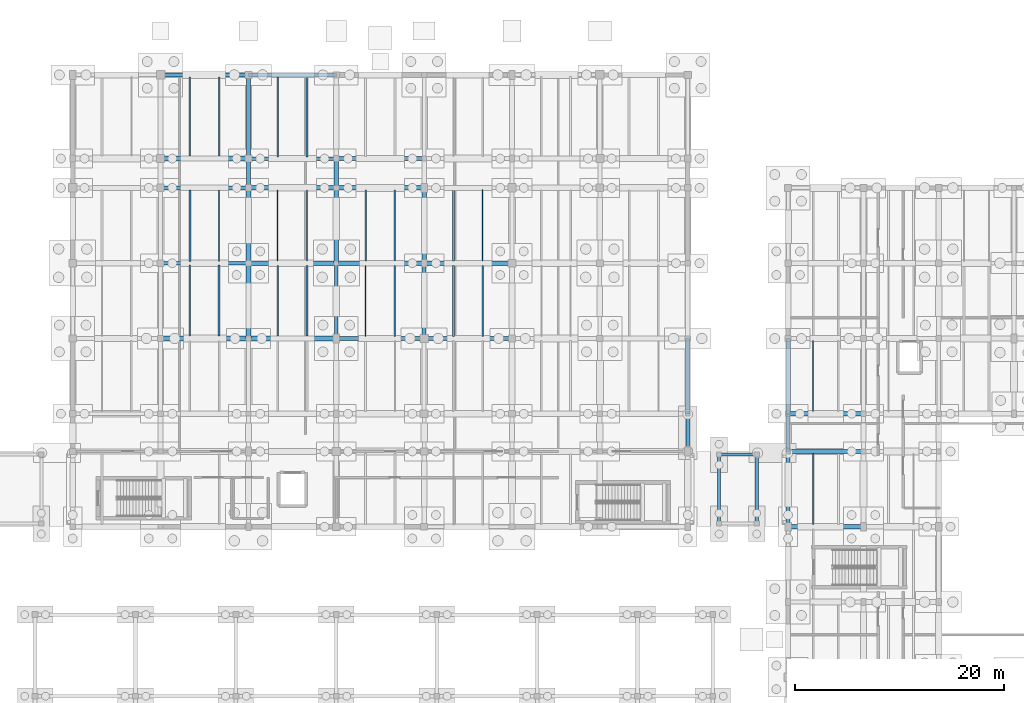
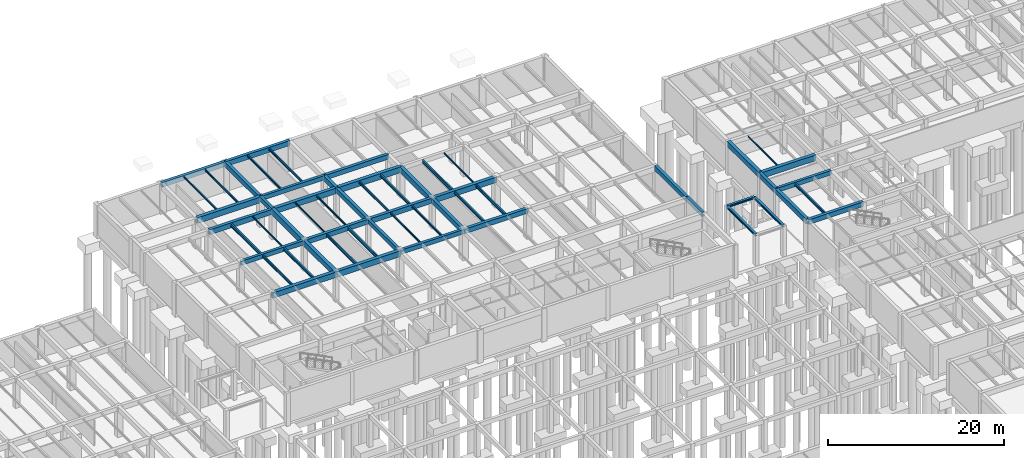
# One storey, part 32 of 63: 58 beams.
"""IFC4 building model written with IfcOpenShell, lengths in metres."""

from ifc_helpers import new_model, si_unit, direction, frame, origin, origin_2d, place, context, subcontext, project, spatial, rectangle, i_section, extrude, material, material_profile, profile_set, type_object, element, save


model = new_model("IFC4")

# Units and contexts
model_context = context("Model", 3, precision=1e-05, world=origin(), true_north=direction((0.0, 1.0)))
body_context = subcontext(model_context, "Body", "Model", "MODEL_VIEW")
ifc_project = project(units=[si_unit("LENGTHUNIT", "METRE"), si_unit("AREAUNIT", "SQUARE_METRE"), si_unit("VOLUMEUNIT", "CUBIC_METRE"), si_unit("PLANEANGLEUNIT", "RADIAN"), si_unit("MASSUNIT", "GRAM", prefix="KILO")], contexts=[model_context])

# Site, building, storey
site_placement = place(None, origin())
site = spatial("IfcSite", under=ifc_project, at=site_placement, CompositionType="ELEMENT")
building_placement = place(site_placement, origin())
building = spatial("IfcBuilding", under=site, at=building_placement, Name="Mazaris Harbour Polytechnic", CompositionType="ELEMENT")
storey_placement = place(building_placement, frame((0.0, 0.0, -4.5)))
storey = spatial("IfcBuildingStorey", under=building, at=storey_placement, Name="B1", CompositionType="ELEMENT", Elevation=-4.5)

# Beams
ifc_material_1 = material(Name="Concrete C35/45", Category="concrete")
ifc_material_profile_1 = material_profile(ifc_material_1, rectangle(XDim=0.35009765625, YDim=0.60009765625, at=origin_2d()), Name="RECT350x600")
ifc_profile_set_1 = profile_set([ifc_material_profile_1], Name="Concrete C35/45")
beam_type_1 = type_object("IfcBeamType", Name="RC Girder 350x600", PredefinedType="BEAM", material=ifc_profile_set_1)
for number, where, z_axis, x_axis, name in (
    (1, (79.199951171875, 93.60009765625, 3.85009765625), (1.0, 0.0, 0.0), (0.0, 1.0, 0.0), "V1 B1 Girder 25"),
    (2, (62.39990234375, 100.800048828125, 3.85009765625), (1.0, 0.0, 0.0), (0.0, 1.0, 0.0), "V1 B1 Girder 30"),
):
    element("IfcBeam", number, at=place(storey_placement, frame(where, z_axis=z_axis, x_axis=x_axis)), inside=storey, type_object=beam_type_1, Name=name, PredefinedType="BEAM", context=body_context, shape_type="SweptSolid", body=[
        extrude(rectangle(XDim=0.35009765625, YDim=0.60009765625, at=origin_2d()), origin(), (0.0, 0.0, 1.0), 8.400146484375),
    ])
beam_1_placement = place(storey_placement, frame((70.800048828125, 110.800048828125, 3.85009765625), z_axis=(1.0, 0.0, 0.0), x_axis=(0.0, 1.0, 0.0)))
element("IfcBeam", 3, at=beam_1_placement, inside=storey, type_object=beam_type_1, Name="V1 B1 Girder 45", PredefinedType="BEAM", context=body_context, shape_type="SweptSolid", body=[
    extrude(rectangle(XDim=0.35009765625, YDim=0.60009765625, at=origin_2d()), origin(), (0.0, 0.0, 1.0), 8.39990234375),
])
beam_2_placement = place(storey_placement, frame((70.800048828125, 108.0, 3.85009765625), z_axis=(0.0, 1.0, 0.0), x_axis=(-1.0, 0.0, 0.0)))
element("IfcBeam", 4, at=beam_2_placement, inside=storey, type_object=beam_type_1, Name="V1 B1 Tie Girder 75", PredefinedType="BEAM", context=body_context, shape_type="SweptSolid", body=[
    extrude(rectangle(XDim=0.35009765625, YDim=0.60009765625, at=origin_2d()), origin(), (0.0, 0.0, 1.0), 2.800048828125),
])
beam_3_placement = place(storey_placement, frame((79.199951171875, 93.60009765625, 3.85009765625), z_axis=(0.0, 1.0, 0.0), x_axis=(-1.0, 0.0, 0.0)))
element("IfcBeam", 5, at=beam_3_placement, inside=storey, type_object=beam_type_1, Name="V1 B1 Tie Girder 80", PredefinedType="BEAM", context=body_context, shape_type="SweptSolid", body=[
    extrude(rectangle(XDim=0.35009765625, YDim=0.60009765625, at=origin_2d()), origin(), (0.0, 0.0, 1.0), 7.199951171875),
])
beam_4_placement = place(storey_placement, frame((122.39990234375, 82.800048828125, 3.8798828125), z_axis=(1.0, 0.0, 0.0), x_axis=(0.0, 1.0, 0.0)))
element("IfcBeam", 6, at=beam_4_placement, inside=storey, type_object=beam_type_1, Name="V5 B1 Girder 2515", PredefinedType="BEAM", context=body_context, shape_type="SweptSolid", body=[
    extrude(rectangle(XDim=0.35009765625, YDim=0.60009765625, at=origin_2d()), origin(), (0.0, 0.0, 1.0), 7.2001953125),
])
ifc_material_2 = material(Name="Concrete C35/45", Category="concrete")
ifc_material_profile_2 = material_profile(ifc_material_2, rectangle(XDim=0.35009765625, YDim=0.60009765625, at=origin_2d()), Name="RECT350x600")
ifc_profile_set_2 = profile_set([ifc_material_profile_2], Name="Concrete C35/45")
beam_type_2 = type_object("IfcBeamType", Name="RC Girder 350x600 Exterior", PredefinedType="BEAM", material=ifc_profile_set_2)
beam_5_placement = place(storey_placement, frame((112.800048828125, 82.800048828125, 3.85009765625), z_axis=(0.0, 1.0, 0.0), x_axis=(-1.0, 0.0, 0.0)))
element("IfcBeam", 7, at=beam_5_placement, inside=storey, type_object=beam_type_2, Name="V1 B1 Tie Girder 105", PredefinedType="BEAM", context=body_context, shape_type="SweptSolid", body=[
    extrude(rectangle(XDim=0.35009765625, YDim=0.60009765625, at=origin_2d()), origin(), (0.0, 0.0, 1.0), 3.599853515625),
])
ifc_material_3 = material(Name="Concrete C35/45", Category="concrete")
ifc_material_profile_3 = material_profile(ifc_material_3, rectangle(XDim=0.39990234375, YDim=0.64990234375, at=origin_2d()), Name="RECT400x650")
ifc_profile_set_3 = profile_set([ifc_material_profile_3], Name="Concrete C35/45")
beam_type_3 = type_object("IfcBeamType", Name="RC Girder 400x650", PredefinedType="BEAM", material=ifc_profile_set_3)
for number, where, z_axis, x_axis, name in (
    (8, (87.60009765625, 93.60009765625, 3.824951171875), (1.0, 0.0, 0.0), (0.0, 1.0, 0.0), "V1 B1 Girder 26"),
    (9, (70.800048828125, 100.800048828125, 3.824951171875), (1.0, 0.0, 0.0), (0.0, 1.0, 0.0), "V1 B1 Girder 31"),
):
    element("IfcBeam", number, at=place(storey_placement, frame(where, z_axis=z_axis, x_axis=x_axis)), inside=storey, type_object=beam_type_3, Name=name, PredefinedType="BEAM", context=body_context, shape_type="SweptSolid", body=[
        extrude(rectangle(XDim=0.39990234375, YDim=0.64990234375, at=origin_2d()), origin(), (0.0, 0.0, 1.0), 8.39990234375),
    ])
beam_6_placement = place(storey_placement, frame((79.199951171875, 110.800048828125, 3.824951171875), z_axis=(1.0, 0.0, 0.0), x_axis=(0.0, 1.0, 0.0)))
element("IfcBeam", 10, at=beam_6_placement, inside=storey, type_object=beam_type_3, Name="V1 B1 Girder 46", PredefinedType="BEAM", context=body_context, shape_type="SweptSolid", body=[
    extrude(rectangle(XDim=0.39990234375, YDim=0.64990234375, at=origin_2d()), origin(), (0.0, 0.0, 1.0), 8.400146484375),
])
beam_7_placement = place(storey_placement, frame((70.800048828125, 110.800048828125, 3.824951171875), z_axis=(0.0, 1.0, 0.0), x_axis=(-1.0, 0.0, 0.0)))
element("IfcBeam", 11, at=beam_7_placement, inside=storey, type_object=beam_type_3, Name="V1 B1 Tie Girder 76", PredefinedType="BEAM", context=body_context, shape_type="SweptSolid", body=[
    extrude(rectangle(XDim=0.39990234375, YDim=0.64990234375, at=origin_2d()), origin(), (0.0, 0.0, 1.0), 8.0),
])
beam_8_placement = place(storey_placement, frame((79.199951171875, 100.800048828125, 3.824951171875), z_axis=(0.0, 1.0, 0.0), x_axis=(-1.0, 0.0, 0.0)))
element("IfcBeam", 12, at=beam_8_placement, inside=storey, type_object=beam_type_3, Name="V1 B1 Tie Girder 81", PredefinedType="BEAM", context=body_context, shape_type="SweptSolid", body=[
    extrude(rectangle(XDim=0.39990234375, YDim=0.64990234375, at=origin_2d()), origin(), (0.0, 0.0, 1.0), 7.199951171875),
])
beam_9_placement = place(storey_placement, frame((122.39990234375, 75.60009765625, 3.85498046875), z_axis=(1.0, 0.0, 0.0), x_axis=(0.0, 1.0, 0.0)))
element("IfcBeam", 13, at=beam_9_placement, inside=storey, type_object=beam_type_3, Name="V5 B1 Girder 2511", PredefinedType="BEAM", context=body_context, shape_type="SweptSolid", body=[
    extrude(rectangle(XDim=0.39990234375, YDim=0.64990234375, at=origin_2d()), origin(), (0.0, 0.0, 1.0), 7.2001953125),
])
ifc_material_4 = material(Name="Concrete C35/45", Category="concrete")
ifc_material_profile_4 = material_profile(ifc_material_4, rectangle(XDim=0.39990234375, YDim=0.64990234375, at=origin_2d()), Name="RECT400x650")
ifc_profile_set_4 = profile_set([ifc_material_profile_4], Name="Concrete C35/45")
beam_type_4 = type_object("IfcBeamType", Name="RC Girder 400x650 Exterior", PredefinedType="BEAM", material=ifc_profile_set_4)
beam_10_placement = place(storey_placement, frame((62.39990234375, 118.800048828125, 3.824951171875), z_axis=(1.0, 0.0, 0.0), x_axis=(0.0, 1.0, 0.0)))
element("IfcBeam", 14, at=beam_10_placement, inside=storey, type_object=beam_type_4, Name="V1 B1 Girder 51", PredefinedType="BEAM", context=body_context, shape_type="SweptSolid", body=[
    extrude(rectangle(XDim=0.39990234375, YDim=0.64990234375, at=origin_2d()), origin(), (0.0, 0.0, 1.0), 8.400146484375),
])
beam_11_placement = place(storey_placement, frame((112.800048828125, 86.39990234375, 3.824951171875), z_axis=(0.0, 1.0, 0.0), x_axis=(-1.0, 0.0, 0.0)))
element("IfcBeam", 15, at=beam_11_placement, inside=storey, type_object=beam_type_4, Name="V1 B1 Tie Girder 106", PredefinedType="BEAM", context=body_context, shape_type="SweptSolid", body=[
    extrude(rectangle(XDim=0.39990234375, YDim=0.64990234375, at=origin_2d()), origin(), (0.0, 0.0, 1.0), 7.2001953125),
])
beam_12_placement = place(storey_placement, frame((122.39990234375, 75.60009765625, 3.85498046875), z_axis=(0.0, 1.0, 0.0), x_axis=(-1.0, 0.0, 0.0)))
element("IfcBeam", 16, at=beam_12_placement, inside=storey, type_object=beam_type_4, Name="V5 B1 Tie Girder 2551", PredefinedType="BEAM", context=body_context, shape_type="SweptSolid", body=[
    extrude(rectangle(XDim=0.39990234375, YDim=0.64990234375, at=origin_2d()), origin(), (0.0, 0.0, 1.0), 7.199951171875),
])
ifc_material_5 = material(Name="Concrete C35/45", Category="concrete")
ifc_material_profile_5 = material_profile(ifc_material_5, rectangle(XDim=0.39990234375, YDim=0.699951171875, at=origin_2d()), Name="RECT400x700")
ifc_profile_set_5 = profile_set([ifc_material_profile_5], Name="Concrete C35/45")
beam_type_5 = type_object("IfcBeamType", Name="RC Girder 400x700", PredefinedType="BEAM", material=ifc_profile_set_5)
for number, where, z_axis, x_axis, name in (
    (17, (79.199951171875, 100.800048828125, 3.800048828125), (1.0, 0.0, 0.0), (0.0, 1.0, 0.0), "V1 B1 Girder 32"),
    (18, (62.39990234375, 108.0, 3.800048828125), (1.0, 0.0, 0.0), (0.0, 1.0, 0.0), "V1 B1 Girder 37"),
):
    element("IfcBeam", number, at=place(storey_placement, frame(where, z_axis=z_axis, x_axis=x_axis)), inside=storey, type_object=beam_type_5, Name=name, PredefinedType="BEAM", context=body_context, shape_type="SweptSolid", body=[
        extrude(rectangle(XDim=0.39990234375, YDim=0.699951171875, at=origin_2d()), origin(), (0.0, 0.0, 1.0), 8.400146484375),
    ])
beam_13_placement = place(storey_placement, frame((79.199951171875, 108.0, 3.800048828125), z_axis=(0.0, 1.0, 0.0), x_axis=(-1.0, 0.0, 0.0)))
element("IfcBeam", 19, at=beam_13_placement, inside=storey, type_object=beam_type_5, Name="V1 B1 Tie Girder 82", PredefinedType="BEAM", context=body_context, shape_type="SweptSolid", body=[
    extrude(rectangle(XDim=0.39990234375, YDim=0.699951171875, at=origin_2d()), origin(), (0.0, 0.0, 1.0), 2.800048828125),
])
beam_14_placement = place(storey_placement, frame((87.60009765625, 93.60009765625, 3.800048828125), z_axis=(0.0, 1.0, 0.0), x_axis=(-1.0, 0.0, 0.0)))
element("IfcBeam", 20, at=beam_14_placement, inside=storey, type_object=beam_type_5, Name="V1 B1 Tie Girder 87", PredefinedType="BEAM", context=body_context, shape_type="SweptSolid", body=[
    extrude(rectangle(XDim=0.39990234375, YDim=0.699951171875, at=origin_2d()), origin(), (0.0, 0.0, 1.0), 7.199951171875),
])
ifc_material_6 = material(Name="Concrete C35/45", Category="concrete")
ifc_material_profile_6 = material_profile(ifc_material_6, rectangle(XDim=0.39990234375, YDim=0.699951171875, at=origin_2d()), Name="RECT400x700")
ifc_profile_set_6 = profile_set([ifc_material_profile_6], Name="Concrete C35/45")
beam_type_6 = type_object("IfcBeamType", Name="RC Girder 400x700 Exterior", PredefinedType="BEAM", material=ifc_profile_set_6)
beam_15_placement = place(storey_placement, frame((70.800048828125, 118.800048828125, 3.800048828125), z_axis=(1.0, 0.0, 0.0), x_axis=(0.0, 1.0, 0.0)))
element("IfcBeam", 21, at=beam_15_placement, inside=storey, type_object=beam_type_6, Name="V1 B1 Girder 52", PredefinedType="BEAM", context=body_context, shape_type="SweptSolid", body=[
    extrude(rectangle(XDim=0.39990234375, YDim=0.699951171875, at=origin_2d()), origin(), (0.0, 0.0, 1.0), 8.39990234375),
])
beam_16_placement = place(storey_placement, frame((122.39990234375, 82.800048828125, 3.830078125), z_axis=(0.0, 1.0, 0.0), x_axis=(-1.0, 0.0, 0.0)))
element("IfcBeam", 22, at=beam_16_placement, inside=storey, type_object=beam_type_6, Name="V5 B1 Tie Girder 2552", PredefinedType="BEAM", context=body_context, shape_type="SweptSolid", body=[
    extrude(rectangle(XDim=0.39990234375, YDim=0.699951171875, at=origin_2d()), origin(), (0.0, 0.0, 1.0), 3.599853515625),
])
ifc_material_7 = material(Name="Concrete C40/50", Category="concrete")
ifc_material_profile_7 = material_profile(ifc_material_7, rectangle(XDim=0.449951171875, YDim=0.75, at=origin_2d()), Name="RECT450x750")
ifc_profile_set_7 = profile_set([ifc_material_profile_7], Name="Concrete C40/50")
beam_type_7 = type_object("IfcBeamType", Name="RC Girder 450x750", PredefinedType="BEAM", material=ifc_profile_set_7)
beam_17_placement = place(storey_placement, frame((62.39990234375, 93.60009765625, 3.77490234375), z_axis=(1.0, 0.0, 0.0), x_axis=(0.0, 1.0, 0.0)))
element("IfcBeam", 23, at=beam_17_placement, inside=storey, type_object=beam_type_7, Name="V1 B1 Girder 23", PredefinedType="BEAM", context=body_context, shape_type="SweptSolid", body=[
    extrude(rectangle(XDim=0.449951171875, YDim=0.75, at=origin_2d()), origin(), (0.0, 0.0, 1.0), 8.400146484375),
])
for number, where, z_axis, x_axis, name in (
    (24, (87.60009765625, 100.800048828125, 3.77490234375), (1.0, 0.0, 0.0), (0.0, 1.0, 0.0), "V1 B1 Girder 33"),
    (25, (70.800048828125, 108.0, 3.77490234375), (1.0, 0.0, 0.0), (0.0, 1.0, 0.0), "V1 B1 Girder 38"),
):
    element("IfcBeam", number, at=place(storey_placement, frame(where, z_axis=z_axis, x_axis=x_axis)), inside=storey, type_object=beam_type_7, Name=name, PredefinedType="BEAM", context=body_context, shape_type="SweptSolid", body=[
        extrude(rectangle(XDim=0.449951171875, YDim=0.75, at=origin_2d()), origin(), (0.0, 0.0, 1.0), 8.39990234375),
    ])
for number, where, z_axis, x_axis, name in (
    (26, (70.800048828125, 93.60009765625, 3.77490234375), (0.0, 1.0, 0.0), (-1.0, 0.0, 0.0), "V1 B1 Tie Girder 73"),
    (27, (87.60009765625, 100.800048828125, 3.77490234375), (0.0, 1.0, 0.0), (-1.0, 0.0, 0.0), "V1 B1 Tie Girder 88"),
):
    element("IfcBeam", number, at=place(storey_placement, frame(where, z_axis=z_axis, x_axis=x_axis)), inside=storey, type_object=beam_type_7, Name=name, PredefinedType="BEAM", context=body_context, shape_type="SweptSolid", body=[
        extrude(rectangle(XDim=0.449951171875, YDim=0.75, at=origin_2d()), origin(), (0.0, 0.0, 1.0), 7.199951171875),
    ])
ifc_material_8 = material(Name="Concrete C40/50", Category="concrete")
ifc_material_profile_8 = material_profile(ifc_material_8, rectangle(XDim=0.449951171875, YDim=0.75, at=origin_2d()), Name="RECT450x750")
ifc_profile_set_8 = profile_set([ifc_material_profile_8], Name="Concrete C40/50")
beam_type_8 = type_object("IfcBeamType", Name="RC Girder 450x750 Exterior", PredefinedType="BEAM", material=ifc_profile_set_8)
beam_18_placement = place(storey_placement, frame((122.39990234375, 86.39990234375, 3.804931640625), z_axis=(0.0, 1.0, 0.0), x_axis=(-1.0, 0.0, 0.0)))
element("IfcBeam", 28, at=beam_18_placement, inside=storey, type_object=beam_type_8, Name="V5 B1 Tie Girder 2553", PredefinedType="BEAM", context=body_context, shape_type="SweptSolid", body=[
    extrude(rectangle(XDim=0.449951171875, YDim=0.75, at=origin_2d()), origin(), (0.0, 0.0, 1.0), 7.2001953125),
])
ifc_material_9 = material(Name="Concrete C40/50", Category="concrete")
ifc_material_profile_9 = material_profile(ifc_material_9, rectangle(XDim=0.449951171875, YDim=0.800048828125, at=origin_2d()), Name="RECT450x800")
ifc_profile_set_9 = profile_set([ifc_material_profile_9], Name="Concrete C40/50")
beam_type_9 = type_object("IfcBeamType", Name="RC Girder 450x800", PredefinedType="BEAM", material=ifc_profile_set_9)
beam_19_placement = place(storey_placement, frame((70.800048828125, 93.60009765625, 3.75), z_axis=(1.0, 0.0, 0.0), x_axis=(0.0, 1.0, 0.0)))
element("IfcBeam", 29, at=beam_19_placement, inside=storey, type_object=beam_type_9, Name="V1 B1 Girder 24", PredefinedType="BEAM", context=body_context, shape_type="SweptSolid", body=[
    extrude(rectangle(XDim=0.449951171875, YDim=0.800048828125, at=origin_2d()), origin(), (0.0, 0.0, 1.0), 8.39990234375),
])
for number, where, z_axis, x_axis, name in (
    (30, (79.199951171875, 108.0, 3.75), (1.0, 0.0, 0.0), (0.0, 1.0, 0.0), "V1 B1 Girder 39"),
    (31, (62.39990234375, 110.800048828125, 3.75), (1.0, 0.0, 0.0), (0.0, 1.0, 0.0), "V1 B1 Girder 44"),
):
    element("IfcBeam", number, at=place(storey_placement, frame(where, z_axis=z_axis, x_axis=x_axis)), inside=storey, type_object=beam_type_9, Name=name, PredefinedType="BEAM", context=body_context, shape_type="SweptSolid", body=[
        extrude(rectangle(XDim=0.449951171875, YDim=0.800048828125, at=origin_2d()), origin(), (0.0, 0.0, 1.0), 8.400146484375),
    ])
beam_20_placement = place(storey_placement, frame((70.800048828125, 100.800048828125, 3.75), z_axis=(0.0, 1.0, 0.0), x_axis=(-1.0, 0.0, 0.0)))
element("IfcBeam", 32, at=beam_20_placement, inside=storey, type_object=beam_type_9, Name="V1 B1 Tie Girder 74", PredefinedType="BEAM", context=body_context, shape_type="SweptSolid", body=[
    extrude(rectangle(XDim=0.449951171875, YDim=0.800048828125, at=origin_2d()), origin(), (0.0, 0.0, 1.0), 7.199951171875),
])
beam_21_placement = place(storey_placement, frame((122.39990234375, 86.39990234375, 3.780029296875), z_axis=(1.0, 0.0, 0.0), x_axis=(0.0, 1.0, 0.0)))
element("IfcBeam", 33, at=beam_21_placement, inside=storey, type_object=beam_type_9, Name="V5 B1 Girder 2519", PredefinedType="BEAM", context=body_context, shape_type="SweptSolid", body=[
    extrude(rectangle(XDim=0.449951171875, YDim=0.800048828125, at=origin_2d()), origin(), (0.0, 0.0, 1.0), 7.2001953125),
])
ifc_material_10 = material(Name="Steel S355", Category="steel")
ifc_material_profile_10 = material_profile(ifc_material_10, i_section(OverallWidth=0.300048828125, OverallDepth=0.2900390625, WebThickness=0.008544921875, FlangeThickness=0.013916015625, FilletRadius=0.027099609375, at=origin_2d()), Name="HEA 300")
ifc_profile_set_10 = profile_set([ifc_material_profile_10], Name="Steel S355")
beam_type_10 = type_object("IfcBeamType", Name="Steel Beam HEA300 Exterior", PredefinedType="SPANDREL", material=ifc_profile_set_10)
for number, where, z_axis, x_axis, name in (
    (34, (115.800048828125, 75.89990234375, 4.090087890625), (0.0, 1.0, 0.0), (-1.0, 0.0, 0.0), "PB-E2 B1 Bridge Beam 3456"),
    (35, (119.39990234375, 75.89990234375, 4.090087890625), (0.0, 1.0, 0.0), (-1.0, 0.0, 0.0), "PB-E2 B1 Bridge Beam 3457"),
):
    element("IfcBeam", number, at=place(storey_placement, frame(where, z_axis=z_axis, x_axis=x_axis)), inside=storey, type_object=beam_type_10, Name=name, PredefinedType="SPANDREL", context=body_context, shape_type="SweptSolid", body=[
        extrude(i_section(OverallWidth=0.300048828125, OverallDepth=0.2900390625, WebThickness=0.008544921875, FlangeThickness=0.013916015625, FilletRadius=0.027099609375, at=origin_2d()), origin(), (0.0, 0.0, 1.0), 6.60009765625),
    ])
beam_22_placement = place(storey_placement, frame((115.800048828125, 82.5, 4.090087890625), z_axis=(1.0, 0.0, 0.0), x_axis=(0.0, 1.0, 0.0)))
element("IfcBeam", 36, at=beam_22_placement, inside=storey, type_object=beam_type_10, Name="PB-E2 B1 Bridge Beam 3458", PredefinedType="SPANDREL", context=body_context, shape_type="SweptSolid", body=[
    extrude(i_section(OverallWidth=0.300048828125, OverallDepth=0.2900390625, WebThickness=0.008544921875, FlangeThickness=0.013916015625, FilletRadius=0.027099609375, at=origin_2d()), origin(), (0.0, 0.0, 1.0), 3.599853515625),
])
ifc_material_11 = material(Name="Steel S355", Category="steel")
ifc_material_profile_11 = material_profile(ifc_material_11, i_section(OverallWidth=0.10009765625, OverallDepth=0.199951171875, WebThickness=0.005615234375, FlangeThickness=0.008544921875, FilletRadius=0.011962890625, at=origin_2d()), Name="IPE 200")
ifc_profile_set_11 = profile_set([ifc_material_profile_11], Name="Steel S355")
beam_type_11 = type_object("IfcBeamType", Name="Steel Joist IPE200", PredefinedType="JOIST", material=ifc_profile_set_11)
beam_23_placement = place(storey_placement, frame((68.0, 100.97509765625, 4.050048828125), z_axis=(0.0, 1.0, 0.0), x_axis=(-1.0, 0.0, 0.0)))
element("IfcBeam", 37, at=beam_23_placement, inside=storey, type_object=beam_type_11, Name="V1 B1 Floor Joist 126", PredefinedType="JOIST", context=body_context, shape_type="SweptSolid", body=[
    extrude(i_section(OverallWidth=0.10009765625, OverallDepth=0.199951171875, WebThickness=0.005615234375, FlangeThickness=0.008544921875, FilletRadius=0.011962890625, at=origin_2d()), origin(), (0.0, 0.0, 1.0), 6.824951171875),
])
beam_24_placement = place(storey_placement, frame((73.60009765625, 101.0, 4.050048828125), z_axis=(0.0, 1.0, 0.0), x_axis=(-1.0, 0.0, 0.0)))
element("IfcBeam", 38, at=beam_24_placement, inside=storey, type_object=beam_type_11, Name="V1 B1 Floor Joist 133", PredefinedType="JOIST", context=body_context, shape_type="SweptSolid", body=[
    extrude(i_section(OverallWidth=0.10009765625, OverallDepth=0.199951171875, WebThickness=0.005615234375, FlangeThickness=0.008544921875, FilletRadius=0.011962890625, at=origin_2d()), origin(), (0.0, 0.0, 1.0), 6.77490234375),
])
beam_25_placement = place(storey_placement, frame((93.199951171875, 101.02490234375, 4.050048828125), z_axis=(0.0, 1.0, 0.0), x_axis=(-1.0, 0.0, 0.0)))
element("IfcBeam", 39, at=beam_25_placement, inside=storey, type_object=beam_type_11, Name="V1 B1 Floor Joist 154", PredefinedType="JOIST", context=body_context, shape_type="SweptSolid", body=[
    extrude(i_section(OverallWidth=0.10009765625, OverallDepth=0.199951171875, WebThickness=0.005615234375, FlangeThickness=0.008544921875, FilletRadius=0.011962890625, at=origin_2d()), origin(), (0.0, 0.0, 1.0), 6.800048828125),
])
beam_26_placement = place(storey_placement, frame((124.800048828125, 86.625, 4.080078125), z_axis=(0.0, 1.0, 0.0), x_axis=(-1.0, 0.0, 0.0)))
element("IfcBeam", 40, at=beam_26_placement, inside=storey, type_object=beam_type_11, Name="V5 B1 Floor Joist 2618", PredefinedType="JOIST", context=body_context, shape_type="SweptSolid", body=[
    extrude(i_section(OverallWidth=0.10009765625, OverallDepth=0.199951171875, WebThickness=0.005615234375, FlangeThickness=0.008544921875, FilletRadius=0.011962890625, at=origin_2d()), origin(), (0.0, 0.0, 1.0), 6.77490234375),
])
ifc_material_12 = material(Name="Steel S355", Category="steel")
ifc_material_profile_12 = material_profile(ifc_material_12, i_section(OverallWidth=0.1201171875, OverallDepth=0.239990234375, WebThickness=0.006103515625, FlangeThickness=0.009765625, FilletRadius=0.014892578125, at=origin_2d()), Name="IPE 240")
ifc_profile_set_12 = profile_set([ifc_material_profile_12], Name="Steel S355")
beam_type_12 = type_object("IfcBeamType", Name="Steel Joist IPE240", PredefinedType="JOIST", material=ifc_profile_set_12)
beam_27_placement = place(storey_placement, frame((65.199951171875, 111.02490234375, 4.030029296875), z_axis=(0.0, 1.0, 0.0), x_axis=(-1.0, 0.0, 0.0)))
element("IfcBeam", 41, at=beam_27_placement, inside=storey, type_object=beam_type_12, Name="V1 B1 Floor Joist 127", PredefinedType="JOIST", context=body_context, shape_type="SweptSolid", body=[
    extrude(i_section(OverallWidth=0.1201171875, OverallDepth=0.239990234375, WebThickness=0.006103515625, FlangeThickness=0.009765625, FilletRadius=0.014892578125, at=origin_2d()), origin(), (0.0, 0.0, 1.0), 7.5751953125),
])
beam_28_placement = place(storey_placement, frame((76.39990234375, 101.0, 4.030029296875), z_axis=(0.0, 1.0, 0.0), x_axis=(-1.0, 0.0, 0.0)))
element("IfcBeam", 42, at=beam_28_placement, inside=storey, type_object=beam_type_12, Name="V1 B1 Floor Joist 134", PredefinedType="JOIST", context=body_context, shape_type="SweptSolid", body=[
    extrude(i_section(OverallWidth=0.1201171875, OverallDepth=0.239990234375, WebThickness=0.006103515625, FlangeThickness=0.009765625, FilletRadius=0.014892578125, at=origin_2d()), origin(), (0.0, 0.0, 1.0), 6.77490234375),
])
beam_29_placement = place(storey_placement, frame((82.0, 93.77490234375, 4.030029296875), z_axis=(0.0, 1.0, 0.0), x_axis=(-1.0, 0.0, 0.0)))
element("IfcBeam", 43, at=beam_29_placement, inside=storey, type_object=beam_type_12, Name="V1 B1 Floor Joist 141", PredefinedType="JOIST", context=body_context, shape_type="SweptSolid", body=[
    extrude(i_section(OverallWidth=0.1201171875, OverallDepth=0.239990234375, WebThickness=0.006103515625, FlangeThickness=0.009765625, FilletRadius=0.014892578125, at=origin_2d()), origin(), (0.0, 0.0, 1.0), 6.8251953125),
])
ifc_material_13 = material(Name="Steel S355", Category="steel")
ifc_material_profile_13 = material_profile(ifc_material_13, i_section(OverallWidth=0.135009765625, OverallDepth=0.27001953125, WebThickness=0.006591796875, FlangeThickness=0.01025390625, FilletRadius=0.014892578125, at=origin_2d()), Name="IPE 270")
ifc_profile_set_13 = profile_set([ifc_material_profile_13], Name="Steel S355")
beam_type_13 = type_object("IfcBeamType", Name="Steel Joist IPE270", PredefinedType="JOIST", material=ifc_profile_set_13)
beam_30_placement = place(storey_placement, frame((68.0, 111.02490234375, 4.014892578125), z_axis=(0.0, 1.0, 0.0), x_axis=(-1.0, 0.0, 0.0)))
element("IfcBeam", 44, at=beam_30_placement, inside=storey, type_object=beam_type_13, Name="V1 B1 Floor Joist 128", PredefinedType="JOIST", context=body_context, shape_type="SweptSolid", body=[
    extrude(i_section(OverallWidth=0.135009765625, OverallDepth=0.27001953125, WebThickness=0.006591796875, FlangeThickness=0.01025390625, FilletRadius=0.014892578125, at=origin_2d()), origin(), (0.0, 0.0, 1.0), 7.5751953125),
])
beam_31_placement = place(storey_placement, frame((73.60009765625, 110.97509765625, 4.014892578125), z_axis=(0.0, 1.0, 0.0), x_axis=(-1.0, 0.0, 0.0)))
element("IfcBeam", 45, at=beam_31_placement, inside=storey, type_object=beam_type_13, Name="V1 B1 Floor Joist 135", PredefinedType="JOIST", context=body_context, shape_type="SweptSolid", body=[
    extrude(i_section(OverallWidth=0.135009765625, OverallDepth=0.27001953125, WebThickness=0.006591796875, FlangeThickness=0.01025390625, FilletRadius=0.014892578125, at=origin_2d()), origin(), (0.0, 0.0, 1.0), 7.625),
])
beam_32_placement = place(storey_placement, frame((84.800048828125, 93.77490234375, 4.014892578125), z_axis=(0.0, 1.0, 0.0), x_axis=(-1.0, 0.0, 0.0)))
element("IfcBeam", 46, at=beam_32_placement, inside=storey, type_object=beam_type_13, Name="V1 B1 Floor Joist 142", PredefinedType="JOIST", context=body_context, shape_type="SweptSolid", body=[
    extrude(i_section(OverallWidth=0.135009765625, OverallDepth=0.27001953125, WebThickness=0.006591796875, FlangeThickness=0.01025390625, FilletRadius=0.014892578125, at=origin_2d()), origin(), (0.0, 0.0, 1.0), 6.8251953125),
])
ifc_material_14 = material(Name="Steel S355", Category="steel")
ifc_material_profile_14 = material_profile(ifc_material_14, i_section(OverallWidth=0.14990234375, OverallDepth=0.300048828125, WebThickness=0.007080078125, FlangeThickness=0.0107421875, FilletRadius=0.014892578125, at=origin_2d()), Name="IPE 300")
ifc_profile_set_14 = profile_set([ifc_material_profile_14], Name="Steel S355")
beam_type_14 = type_object("IfcBeamType", Name="Steel Joist IPE300", PredefinedType="JOIST", material=ifc_profile_set_14)
beam_33_placement = place(storey_placement, frame((76.39990234375, 110.97509765625, 4.0), z_axis=(0.0, 1.0, 0.0), x_axis=(-1.0, 0.0, 0.0)))
element("IfcBeam", 47, at=beam_33_placement, inside=storey, type_object=beam_type_14, Name="V1 B1 Floor Joist 136", PredefinedType="JOIST", context=body_context, shape_type="SweptSolid", body=[
    extrude(i_section(OverallWidth=0.14990234375, OverallDepth=0.300048828125, WebThickness=0.007080078125, FlangeThickness=0.0107421875, FilletRadius=0.014892578125, at=origin_2d()), origin(), (0.0, 0.0, 1.0), 7.625),
])
beam_34_placement = place(storey_placement, frame((82.0, 101.0, 4.0), z_axis=(0.0, 1.0, 0.0), x_axis=(-1.0, 0.0, 0.0)))
element("IfcBeam", 48, at=beam_34_placement, inside=storey, type_object=beam_type_14, Name="V1 B1 Floor Joist 143", PredefinedType="JOIST", context=body_context, shape_type="SweptSolid", body=[
    extrude(i_section(OverallWidth=0.14990234375, OverallDepth=0.300048828125, WebThickness=0.007080078125, FlangeThickness=0.0107421875, FilletRadius=0.014892578125, at=origin_2d()), origin(), (0.0, 0.0, 1.0), 6.77490234375),
])
ifc_material_15 = material(Name="Steel S355", Category="steel")
ifc_material_profile_15 = material_profile(ifc_material_15, i_section(OverallWidth=0.169921875, OverallDepth=0.360107421875, WebThickness=0.008056640625, FlangeThickness=0.0126953125, FilletRadius=0.01806640625, at=origin_2d()), Name="IPE 360")
ifc_profile_set_15 = profile_set([ifc_material_profile_15], Name="Steel S355")
beam_type_15 = type_object("IfcBeamType", Name="Steel Joist IPE360", PredefinedType="JOIST", material=ifc_profile_set_15)
beam_35_placement = place(storey_placement, frame((65.199951171875, 93.824951171875, 3.969970703125), z_axis=(0.0, 1.0, 0.0), x_axis=(-1.0, 0.0, 0.0)))
element("IfcBeam", 49, at=beam_35_placement, inside=storey, type_object=beam_type_15, Name="V1 B1 Floor Joist 123", PredefinedType="JOIST", context=body_context, shape_type="SweptSolid", body=[
    extrude(i_section(OverallWidth=0.169921875, OverallDepth=0.360107421875, WebThickness=0.008056640625, FlangeThickness=0.0126953125, FilletRadius=0.01806640625, at=origin_2d()), origin(), (0.0, 0.0, 1.0), 6.800048828125),
])
for number, where, z_axis, x_axis, name in (
    (50, (84.800048828125, 101.0, 3.969970703125), (0.0, 1.0, 0.0), (-1.0, 0.0, 0.0), "V1 B1 Floor Joist 144"),
    (51, (90.39990234375, 93.800048828125, 3.969970703125), (0.0, 1.0, 0.0), (-1.0, 0.0, 0.0), "V1 B1 Floor Joist 151"),
):
    element("IfcBeam", number, at=place(storey_placement, frame(where, z_axis=z_axis, x_axis=x_axis)), inside=storey, type_object=beam_type_15, Name=name, PredefinedType="JOIST", context=body_context, shape_type="SweptSolid", body=[
        extrude(i_section(OverallWidth=0.169921875, OverallDepth=0.360107421875, WebThickness=0.008056640625, FlangeThickness=0.0126953125, FilletRadius=0.01806640625, at=origin_2d()), origin(), (0.0, 0.0, 1.0), 6.77490234375),
    ])
ifc_material_16 = material(Name="Steel S355", Category="steel")
ifc_material_profile_16 = material_profile(ifc_material_16, i_section(OverallWidth=0.179931640625, OverallDepth=0.39990234375, WebThickness=0.008544921875, FlangeThickness=0.013427734375, FilletRadius=0.02099609375, at=origin_2d()), Name="IPE 400")
ifc_profile_set_16 = profile_set([ifc_material_profile_16], Name="Steel S355")
beam_type_16 = type_object("IfcBeamType", Name="Steel Joist IPE400", PredefinedType="JOIST", material=ifc_profile_set_16)
beam_36_placement = place(storey_placement, frame((68.0, 93.824951171875, 3.949951171875), z_axis=(0.0, 1.0, 0.0), x_axis=(-1.0, 0.0, 0.0)))
element("IfcBeam", 52, at=beam_36_placement, inside=storey, type_object=beam_type_16, Name="V1 B1 Floor Joist 124", PredefinedType="JOIST", context=body_context, shape_type="SweptSolid", body=[
    extrude(i_section(OverallWidth=0.179931640625, OverallDepth=0.39990234375, WebThickness=0.008544921875, FlangeThickness=0.013427734375, FilletRadius=0.02099609375, at=origin_2d()), origin(), (0.0, 0.0, 1.0), 6.800048828125),
])
beam_37_placement = place(storey_placement, frame((73.60009765625, 93.824951171875, 3.949951171875), z_axis=(0.0, 1.0, 0.0), x_axis=(-1.0, 0.0, 0.0)))
element("IfcBeam", 53, at=beam_37_placement, inside=storey, type_object=beam_type_16, Name="V1 B1 Floor Joist 131", PredefinedType="JOIST", context=body_context, shape_type="SweptSolid", body=[
    extrude(i_section(OverallWidth=0.179931640625, OverallDepth=0.39990234375, WebThickness=0.008544921875, FlangeThickness=0.013427734375, FilletRadius=0.02099609375, at=origin_2d()), origin(), (0.0, 0.0, 1.0), 6.775146484375),
])
beam_38_placement = place(storey_placement, frame((93.199951171875, 93.800048828125, 3.949951171875), z_axis=(0.0, 1.0, 0.0), x_axis=(-1.0, 0.0, 0.0)))
element("IfcBeam", 54, at=beam_38_placement, inside=storey, type_object=beam_type_16, Name="V1 B1 Floor Joist 152", PredefinedType="JOIST", context=body_context, shape_type="SweptSolid", body=[
    extrude(i_section(OverallWidth=0.179931640625, OverallDepth=0.39990234375, WebThickness=0.008544921875, FlangeThickness=0.013427734375, FilletRadius=0.02099609375, at=origin_2d()), origin(), (0.0, 0.0, 1.0), 6.77490234375),
])
beam_39_placement = place(storey_placement, frame((124.800048828125, 75.800048828125, 3.97998046875), z_axis=(0.0, 1.0, 0.0), x_axis=(-1.0, 0.0, 0.0)))
element("IfcBeam", 55, at=beam_39_placement, inside=storey, type_object=beam_type_16, Name="V5 B1 Floor Joist 2616", PredefinedType="JOIST", context=body_context, shape_type="SweptSolid", body=[
    extrude(i_section(OverallWidth=0.179931640625, OverallDepth=0.39990234375, WebThickness=0.008544921875, FlangeThickness=0.013427734375, FilletRadius=0.02099609375, at=origin_2d()), origin(), (0.0, 0.0, 1.0), 6.824951171875),
])
ifc_material_17 = material(Name="Steel S355", Category="steel")
ifc_material_profile_17 = material_profile(ifc_material_17, i_section(OverallWidth=0.18994140625, OverallDepth=0.449951171875, WebThickness=0.009521484375, FlangeThickness=0.0146484375, FilletRadius=0.02099609375, at=origin_2d()), Name="IPE 450")
ifc_profile_set_17 = profile_set([ifc_material_profile_17], Name="Steel S355")
beam_type_17 = type_object("IfcBeamType", Name="Steel Joist IPE450", PredefinedType="JOIST", material=ifc_profile_set_17)
beam_40_placement = place(storey_placement, frame((65.199951171875, 100.97509765625, 3.925048828125), z_axis=(0.0, 1.0, 0.0), x_axis=(-1.0, 0.0, 0.0)))
element("IfcBeam", 56, at=beam_40_placement, inside=storey, type_object=beam_type_17, Name="V1 B1 Floor Joist 125", PredefinedType="JOIST", context=body_context, shape_type="SweptSolid", body=[
    extrude(i_section(OverallWidth=0.18994140625, OverallDepth=0.449951171875, WebThickness=0.009521484375, FlangeThickness=0.0146484375, FilletRadius=0.02099609375, at=origin_2d()), origin(), (0.0, 0.0, 1.0), 6.824951171875),
])
beam_41_placement = place(storey_placement, frame((76.39990234375, 93.824951171875, 3.925048828125), z_axis=(0.0, 1.0, 0.0), x_axis=(-1.0, 0.0, 0.0)))
element("IfcBeam", 57, at=beam_41_placement, inside=storey, type_object=beam_type_17, Name="V1 B1 Floor Joist 132", PredefinedType="JOIST", context=body_context, shape_type="SweptSolid", body=[
    extrude(i_section(OverallWidth=0.18994140625, OverallDepth=0.449951171875, WebThickness=0.009521484375, FlangeThickness=0.0146484375, FilletRadius=0.02099609375, at=origin_2d()), origin(), (0.0, 0.0, 1.0), 6.775146484375),
])
beam_42_placement = place(storey_placement, frame((90.39990234375, 101.02490234375, 3.925048828125), z_axis=(0.0, 1.0, 0.0), x_axis=(-1.0, 0.0, 0.0)))
element("IfcBeam", 58, at=beam_42_placement, inside=storey, type_object=beam_type_17, Name="V1 B1 Floor Joist 153", PredefinedType="JOIST", context=body_context, shape_type="SweptSolid", body=[
    extrude(i_section(OverallWidth=0.18994140625, OverallDepth=0.449951171875, WebThickness=0.009521484375, FlangeThickness=0.0146484375, FilletRadius=0.02099609375, at=origin_2d()), origin(), (0.0, 0.0, 1.0), 6.800048828125),
])

save(model, "model.ifc")
